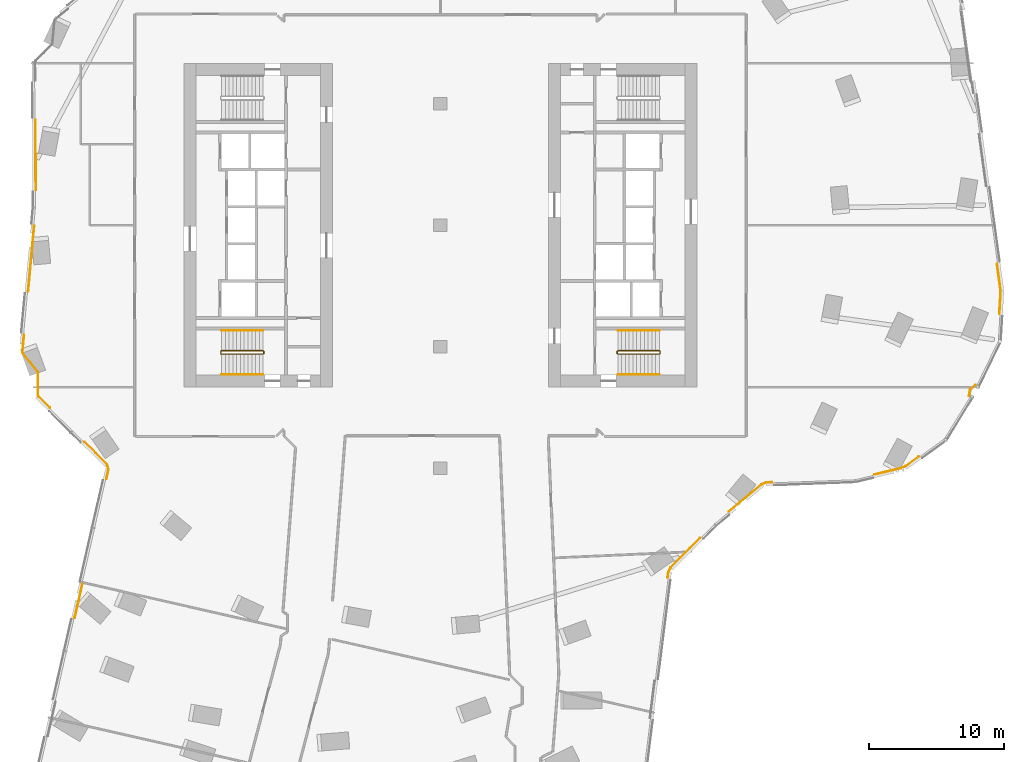
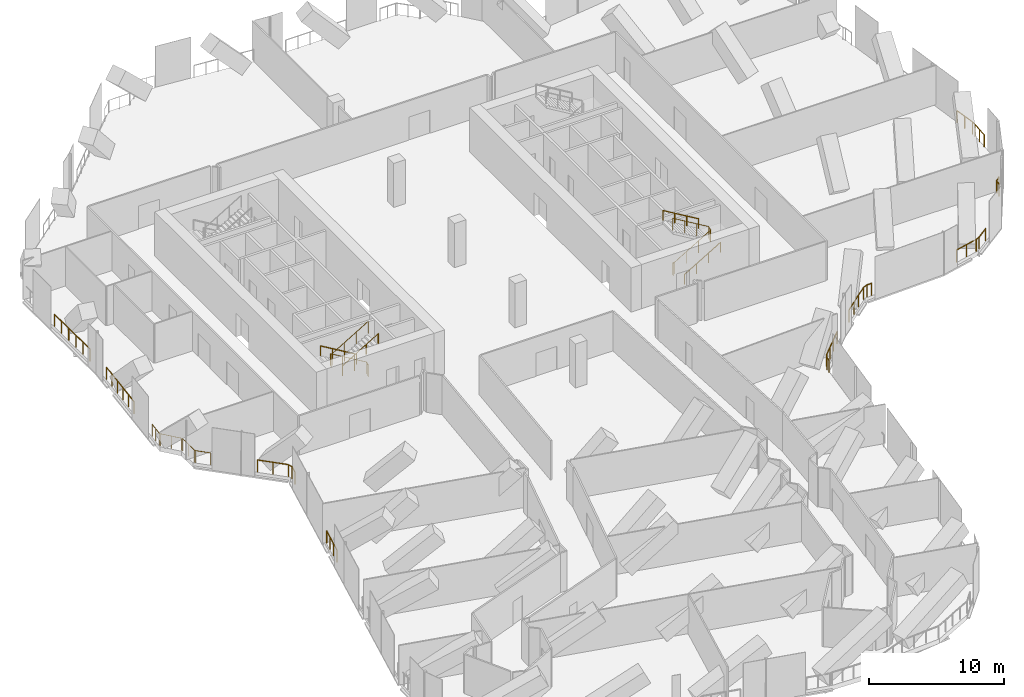
# One storey, part 27 of 29: 16 railings.
"""IFC4 building model written with IfcOpenShell, lengths in metres."""

from ifc_helpers import new_model, si_unit, direction, frame, origin, origin_2d, place, context, subcontext, project, spatial, circle, extrude, material, type_object, element, save


model = new_model("IFC4")

# Units and contexts
model_context = context("Model", 3, precision=1e-05, world=origin(), true_north=direction((0.0, 1.0)))
body_context = subcontext(model_context, "Body", "Model", "MODEL_VIEW")
ifc_project = project(units=[si_unit("LENGTHUNIT", "METRE"), si_unit("AREAUNIT", "SQUARE_METRE"), si_unit("VOLUMEUNIT", "CUBIC_METRE"), si_unit("PLANEANGLEUNIT", "RADIAN"), si_unit("MASSUNIT", "GRAM", prefix="KILO")], contexts=[model_context])

# Site, building, storey
site_placement = place(None, origin())
site = spatial("IfcSite", under=ifc_project, at=site_placement, CompositionType="ELEMENT")
building_placement = place(site_placement, origin())
building = spatial("IfcBuilding", under=site, at=building_placement, Name="Orlundy Tower", CompositionType="ELEMENT")
storey_placement = place(building_placement, frame((0.0, 0.0, 184.60009765625)))
storey = spatial("IfcBuildingStorey", under=building, at=storey_placement, Name="L48", CompositionType="ELEMENT", Elevation=184.60009765625)

# Railings
ifc_material_1 = material(Name="Steel balustrade", Category="steel")
railing_type_1 = type_object("IfcRailingType", Name="Stair Guard 1100", PredefinedType="GUARDRAIL", material=ifc_material_1)
railing_1_placement = place(storey_placement, frame((-13.090087890625, -9.35009765625, 0.0)))
element("IfcRailing", 1, at=railing_1_placement, inside=storey, type_object=railing_type_1, Name="L48 ST-W2 stair guard 1", PredefinedType="GUARDRAIL", context=body_context, shape_type="SweptSolid", body=[
    extrude(circle(Radius=0.02392578125, at=origin_2d()), frame((0.0, 0.0, 1.076171875), z_axis=(0.0, -1.0, 0.0), x_axis=(1.0, 0.0, 0.0)), (0.0, 0.0, 1.0), 0.14990234375),
    extrude(circle(Radius=0.02392578125, at=origin_2d()), frame((0.0, -0.14990234375, 1.076171875), z_axis=(-0.187996396626, 0.754750239394, 0.628497757347), x_axis=(-0.970351222016, -0.241699205484, 0.0)), (0.0, 0.0, 1.0), 0.264892578125),
    extrude(circle(Radius=0.02392578125, at=origin_2d()), frame((-0.0498046875, 0.050048828125, 1.24267578125), z_axis=(-0.85927862911, 0.0, 0.511507807912), x_axis=(0.0, -1.0, 0.0)), (0.0, 0.0, 1.0), 3.58447265625),
    extrude(circle(Radius=0.02392578125, at=origin_2d()), frame((-3.1298828125, 0.050048828125, 3.076171875), z_axis=(-0.707106781187, -0.707106781187, 0.0), x_axis=(0.707106781187, -0.707106781187, 0.0)), (0.0, 0.0, 1.0), 0.07080078125),
    extrude(circle(Radius=0.02392578125, at=origin_2d()), frame((-3.179931640625, 0.0, 3.076171875), z_axis=(0.0, -1.0, 0.0), x_axis=(1.0, 0.0, 0.0)), (0.0, 0.0, 1.0), 0.14990234375),
    extrude(circle(Radius=0.02392578125, at=origin_2d()), frame((-3.179931640625, -0.14990234375, 3.076171875), z_axis=(0.27662974545, -0.27662974545, 0.920299933644), x_axis=(0.707106781187, 0.707106781187, 0.0)), (0.0, 0.0, 1.0), 0.180908203125),
    extrude(circle(Radius=0.02392578125, at=origin_2d()), frame((-3.1298828125, -0.199951171875, 3.24267578125), z_axis=(0.85927862911, 0.0, 0.511507807912), x_axis=(0.0, 1.0, 0.0)), (0.0, 0.0, 1.0), 3.58447265625),
    extrude(circle(Radius=0.02099609375, at=origin_2d()), origin(), (0.0, 0.0, 1.0), 1.052001953125),
    extrude(circle(Radius=0.02099609375, at=origin_2d()), frame((0.0, -0.14990234375, 0.0)), (0.0, 0.0, 1.0), 1.052001953125),
    extrude(circle(Radius=0.02099609375, at=origin_2d()), frame((-0.0498046875, 0.050048828125, 0.16650390625)), (0.0, 0.0, 1.0), 1.052001953125),
    extrude(circle(Radius=0.02099609375, at=origin_2d()), frame((-1.076416015625, 0.050048828125, 0.777587890625)), (0.0, 0.0, 1.0), 1.052001953125),
    extrude(circle(Radius=0.02099609375, at=origin_2d()), frame((-2.103271484375, 0.050048828125, 1.388916015625)), (0.0, 0.0, 1.0), 1.052001953125),
    extrude(circle(Radius=0.02099609375, at=origin_2d()), frame((-3.1298828125, 0.050048828125, 2.0)), (0.0, 0.0, 1.0), 1.052001953125),
    extrude(circle(Radius=0.02099609375, at=origin_2d()), frame((-3.179931640625, 0.0, 2.0)), (0.0, 0.0, 1.0), 1.052001953125),
    extrude(circle(Radius=0.02099609375, at=origin_2d()), frame((-3.179931640625, -0.14990234375, 2.0)), (0.0, 0.0, 1.0), 1.052001953125),
    extrude(circle(Radius=0.02099609375, at=origin_2d()), frame((-3.1298828125, -0.199951171875, 2.16650390625)), (0.0, 0.0, 1.0), 1.052001953125),
    extrude(circle(Radius=0.02099609375, at=origin_2d()), frame((-2.103271484375, -0.199951171875, 2.777587890625)), (0.0, 0.0, 1.0), 1.052001953125),
    extrude(circle(Radius=0.02099609375, at=origin_2d()), frame((-1.076416015625, -0.199951171875, 3.388916015625)), (0.0, 0.0, 1.0), 1.052001953125),
    extrude(circle(Radius=0.02099609375, at=origin_2d()), frame((-0.0498046875, -0.199951171875, 4.0)), (0.0, 0.0, 1.0), 1.052001953125),
])
railing_2_placement = place(storey_placement, frame((13.090087890625, -9.5, 0.0)))
element("IfcRailing", 2, at=railing_2_placement, inside=storey, type_object=railing_type_1, Name="L48 ST-E1 stair guard 1", PredefinedType="GUARDRAIL", context=body_context, shape_type="SweptSolid", body=[
    extrude(circle(Radius=0.02392578125, at=origin_2d()), frame((0.0, 0.0, 1.076171875), z_axis=(0.0, 1.0, 0.0), x_axis=(-1.0, 0.0, 0.0)), (0.0, 0.0, 1.0), 0.14990234375),
    extrude(circle(Radius=0.02392578125, at=origin_2d()), frame((0.0, 0.14990234375, 1.076171875), z_axis=(0.187996396626, -0.754750239394, 0.628497757347), x_axis=(0.970351222016, 0.241699205484, 0.0)), (0.0, 0.0, 1.0), 0.264892578125),
    extrude(circle(Radius=0.02392578125, at=origin_2d()), frame((0.0498046875, -0.050048828125, 1.24267578125), z_axis=(0.85927862911, 0.0, 0.511507807912), x_axis=(0.0, 1.0, 0.0)), (0.0, 0.0, 1.0), 3.58447265625),
    extrude(circle(Radius=0.02392578125, at=origin_2d()), frame((3.1298828125, -0.050048828125, 3.076171875), z_axis=(0.707106781187, 0.707106781187, 0.0), x_axis=(-0.707106781187, 0.707106781187, 0.0)), (0.0, 0.0, 1.0), 0.07080078125),
    extrude(circle(Radius=0.02392578125, at=origin_2d()), frame((3.179931640625, 0.0, 3.076171875), z_axis=(0.0, 1.0, 0.0), x_axis=(-1.0, 0.0, 0.0)), (0.0, 0.0, 1.0), 0.14990234375),
    extrude(circle(Radius=0.02392578125, at=origin_2d()), frame((3.179931640625, 0.14990234375, 3.076171875), z_axis=(-0.27662974545, 0.27662974545, 0.920299933644), x_axis=(-0.707106781187, -0.707106781187, 0.0)), (0.0, 0.0, 1.0), 0.180908203125),
    extrude(circle(Radius=0.02392578125, at=origin_2d()), frame((3.1298828125, 0.199951171875, 3.24267578125), z_axis=(-0.85927862911, 0.0, 0.511507807912), x_axis=(0.0, -1.0, 0.0)), (0.0, 0.0, 1.0), 3.58447265625),
    extrude(circle(Radius=0.02099609375, at=origin_2d()), origin(), (0.0, 0.0, 1.0), 1.052001953125),
    extrude(circle(Radius=0.02099609375, at=origin_2d()), frame((0.0, 0.14990234375, 0.0)), (0.0, 0.0, 1.0), 1.052001953125),
    extrude(circle(Radius=0.02099609375, at=origin_2d()), frame((0.0498046875, -0.050048828125, 0.16650390625)), (0.0, 0.0, 1.0), 1.052001953125),
    extrude(circle(Radius=0.02099609375, at=origin_2d()), frame((1.076416015625, -0.050048828125, 0.777587890625)), (0.0, 0.0, 1.0), 1.052001953125),
    extrude(circle(Radius=0.02099609375, at=origin_2d()), frame((2.103271484375, -0.050048828125, 1.388916015625)), (0.0, 0.0, 1.0), 1.052001953125),
    extrude(circle(Radius=0.02099609375, at=origin_2d()), frame((3.1298828125, -0.050048828125, 2.0)), (0.0, 0.0, 1.0), 1.052001953125),
    extrude(circle(Radius=0.02099609375, at=origin_2d()), frame((3.179931640625, 0.0, 2.0)), (0.0, 0.0, 1.0), 1.052001953125),
    extrude(circle(Radius=0.02099609375, at=origin_2d()), frame((3.179931640625, 0.14990234375, 2.0)), (0.0, 0.0, 1.0), 1.052001953125),
    extrude(circle(Radius=0.02099609375, at=origin_2d()), frame((3.1298828125, 0.199951171875, 2.16650390625)), (0.0, 0.0, 1.0), 1.052001953125),
    extrude(circle(Radius=0.02099609375, at=origin_2d()), frame((2.103271484375, 0.199951171875, 2.777587890625)), (0.0, 0.0, 1.0), 1.052001953125),
    extrude(circle(Radius=0.02099609375, at=origin_2d()), frame((1.076416015625, 0.199951171875, 3.388916015625)), (0.0, 0.0, 1.0), 1.052001953125),
    extrude(circle(Radius=0.02099609375, at=origin_2d()), frame((0.0498046875, 0.199951171875, 4.0)), (0.0, 0.0, 1.0), 1.052001953125),
])
ifc_material_2 = material(Name="Steel handrail", Category="steel")
railing_type_2 = type_object("IfcRailingType", Name="Stair Handrail 900", PredefinedType="HANDRAIL", material=ifc_material_2)
railing_3_placement = place(storey_placement, frame((-13.139892578125, -7.800048828125, 0.16650390625)))
element("IfcRailing", 3, at=railing_3_placement, inside=storey, type_object=railing_type_2, Name="L48 ST-W2 stair handrail 1", PredefinedType="HANDRAIL", context=body_context, shape_type="SweptSolid", body=[
    extrude(circle(Radius=0.02392578125, at=origin_2d()), frame((0.0, 0.0, 0.8759765625), z_axis=(-0.85927862911, 0.0, 0.511507807912), x_axis=(0.0, -1.0, 0.0)), (0.0, 0.0, 1.0), 3.58447265625),
    extrude(circle(Radius=0.02099609375, at=origin_2d()), origin(), (0.0, 0.0, 1.0), 0.851806640625),
    extrude(circle(Radius=0.02099609375, at=origin_2d()), frame((-1.026611328125, 0.0, 0.611083984375)), (0.0, 0.0, 1.0), 0.851806640625),
    extrude(circle(Radius=0.02099609375, at=origin_2d()), frame((-2.053466796875, 0.0, 1.222412109375)), (0.0, 0.0, 1.0), 0.851806640625),
    extrude(circle(Radius=0.02099609375, at=origin_2d()), frame((-3.080078125, 0.0, 1.83349609375)), (0.0, 0.0, 1.0), 0.851806640625),
])
for number, where, name in (
    (4, (-16.219970703125, -11.050048828125, 2.16650390625), "L48 ST-W2 stair handrail 2"),
    (5, (13.139892578125, -11.050048828125, 0.16650390625), "L48 ST-E1 stair handrail 1"),
):
    element("IfcRailing", number, at=place(storey_placement, frame(where)), inside=storey, type_object=railing_type_2, Name=name, PredefinedType="HANDRAIL", context=body_context, shape_type="SweptSolid", body=[
        extrude(circle(Radius=0.02392578125, at=origin_2d()), frame((0.0, 0.0, 0.8759765625), z_axis=(0.85927862911, 0.0, 0.511507807912), x_axis=(0.0, 1.0, 0.0)), (0.0, 0.0, 1.0), 3.58447265625),
        extrude(circle(Radius=0.02099609375, at=origin_2d()), origin(), (0.0, 0.0, 1.0), 0.851806640625),
        extrude(circle(Radius=0.02099609375, at=origin_2d()), frame((1.026611328125, 0.0, 0.611083984375)), (0.0, 0.0, 1.0), 0.851806640625),
        extrude(circle(Radius=0.02099609375, at=origin_2d()), frame((2.053466796875, 0.0, 1.222412109375)), (0.0, 0.0, 1.0), 0.851806640625),
        extrude(circle(Radius=0.02099609375, at=origin_2d()), frame((3.080078125, 0.0, 1.83349609375)), (0.0, 0.0, 1.0), 0.851806640625),
    ])
railing_4_placement = place(storey_placement, frame((16.219970703125, -7.800048828125, 2.16650390625)))
element("IfcRailing", 6, at=railing_4_placement, inside=storey, type_object=railing_type_2, Name="L48 ST-E1 stair handrail 2", PredefinedType="HANDRAIL", context=body_context, shape_type="SweptSolid", body=[
    extrude(circle(Radius=0.02392578125, at=origin_2d()), frame((0.0, 0.0, 0.8759765625), z_axis=(-0.85927862911, 0.0, 0.511507807912), x_axis=(0.0, -1.0, 0.0)), (0.0, 0.0, 1.0), 3.58447265625),
    extrude(circle(Radius=0.02099609375, at=origin_2d()), origin(), (0.0, 0.0, 1.0), 0.851806640625),
    extrude(circle(Radius=0.02099609375, at=origin_2d()), frame((-1.026611328125, 0.0, 0.611083984375)), (0.0, 0.0, 1.0), 0.851806640625),
    extrude(circle(Radius=0.02099609375, at=origin_2d()), frame((-2.053466796875, 0.0, 1.222412109375)), (0.0, 0.0, 1.0), 0.851806640625),
    extrude(circle(Radius=0.02099609375, at=origin_2d()), frame((-3.080078125, 0.0, 1.83349609375)), (0.0, 0.0, 1.0), 0.851806640625),
])
ifc_material_3 = material(Name="Stainless steel bronze finish", Category="steel")
railing_type_3 = type_object("IfcRailingType", Name="TG1 terrace guard", PredefinedType="GUARDRAIL", material=ifc_material_3)
railing_5_placement = place(storey_placement, frame((-28.93994140625, -13.520263671875, 0.0)))
element("IfcRailing", 7, at=railing_5_placement, inside=storey, type_object=railing_type_3, Name="Guard TG-L48-E05", PredefinedType="GUARDRAIL", context=body_context, shape_type="SweptSolid", body=[
    extrude(circle(Radius=0.02490234375, at=origin_2d()), frame((0.0, 0.0, 1.09521484375), z_axis=(-0.711240872187, 0.702948377714, 0.0), x_axis=(-0.702948377714, -0.711240872187, 0.0)), (0.0, 0.0, 1.0), 1.148193359375),
    extrude(circle(Radius=0.02490234375, at=origin_2d()), frame((-0.816650390625, 0.80712890625, 1.09521484375), z_axis=(-0.407238706506, 0.913321759252, 0.0), x_axis=(-0.913321759252, -0.407238706506, 0.0)), (0.0, 0.0, 1.0), 0.12353515625),
    extrude(circle(Radius=0.02490234375, at=origin_2d()), frame((-0.866943359375, 0.919921875, 1.09521484375), z_axis=(-0.005870460126, 0.9999827687, 0.0), x_axis=(-0.9999827687, -0.005870460126, 0.0)), (0.0, 0.0, 1.0), 1.705078125),
    extrude(circle(Radius=0.02490234375, at=origin_2d()), frame((-0.876953125, 2.625, 1.09521484375), z_axis=(-0.341500399128, 0.939881629459, 0.0), x_axis=(-0.939881629459, -0.341500399128, 0.0)), (0.0, 0.0, 1.0), 0.080810546875),
    extrude(circle(Radius=0.02490234375, at=origin_2d()), frame((-0.904541015625, 2.700927734375, 1.09521484375), z_axis=(-0.638379337612, 0.769721911673, 0.0), x_axis=(-0.769721911673, -0.638379337612, 0.0)), (0.0, 0.0, 1.0), 1.70458984375),
    extrude(circle(Radius=0.02490234375, at=origin_2d()), frame((-1.99267578125, 4.012939453125, 1.09521484375), z_axis=(-0.274982401426, 0.961449259663, 0.0), x_axis=(-0.961449259663, -0.274982401426, 0.0)), (0.0, 0.0, 1.0), 0.123291015625),
    extrude(circle(Radius=0.02490234375, at=origin_2d()), frame((-2.026611328125, 4.131591796875, 1.09521484375), z_axis=(0.093000715187, 0.995666041891, 0.0), x_axis=(-0.995666041891, 0.093000715187, 0.0)), (0.0, 0.0, 1.0), 1.26806640625),
    extrude(circle(Radius=0.02001953125, at=origin_2d()), origin(), (0.0, 0.0, 1.0), 1.070068359375),
    extrude(circle(Radius=0.02001953125, at=origin_2d()), frame((-0.816650390625, 0.80712890625, 0.0)), (0.0, 0.0, 1.0), 1.070068359375),
    extrude(circle(Radius=0.02001953125, at=origin_2d()), frame((-0.866943359375, 0.919921875, 0.0)), (0.0, 0.0, 1.0), 1.070068359375),
    extrude(circle(Radius=0.02001953125, at=origin_2d()), frame((-0.8720703125, 1.7724609375, 0.0)), (0.0, 0.0, 1.0), 1.070068359375),
    extrude(circle(Radius=0.02001953125, at=origin_2d()), frame((-0.876953125, 2.625, 0.0)), (0.0, 0.0, 1.0), 1.070068359375),
    extrude(circle(Radius=0.02001953125, at=origin_2d()), frame((-0.904541015625, 2.700927734375, 0.0)), (0.0, 0.0, 1.0), 1.070068359375),
    extrude(circle(Radius=0.02001953125, at=origin_2d()), frame((-1.44873046875, 3.35693359375, 0.0)), (0.0, 0.0, 1.0), 1.070068359375),
    extrude(circle(Radius=0.02001953125, at=origin_2d()), frame((-1.99267578125, 4.012939453125, 0.0)), (0.0, 0.0, 1.0), 1.070068359375),
    extrude(circle(Radius=0.02001953125, at=origin_2d()), frame((-2.026611328125, 4.131591796875, 0.0)), (0.0, 0.0, 1.0), 1.070068359375),
    extrude(circle(Radius=0.02001953125, at=origin_2d()), frame((-1.9677734375, 4.7626953125, 0.0)), (0.0, 0.0, 1.0), 1.070068359375),
    extrude(circle(Radius=0.02001953125, at=origin_2d()), frame((-1.90869140625, 5.39404296875, 0.0)), (0.0, 0.0, 1.0), 1.070068359375),
])
railing_6_placement = place(storey_placement, frame((-29.9755859375, 2.615966796875, 0.0)))
element("IfcRailing", 8, at=railing_6_placement, inside=storey, type_object=railing_type_3, Name="Guard TG-L48-E08", PredefinedType="GUARDRAIL", context=body_context, shape_type="SweptSolid", body=[
    extrude(circle(Radius=0.02490234375, at=origin_2d()), frame((0.0, 0.0, 1.09521484375), z_axis=(-0.005885851805, 0.999982678224, 0.0), x_axis=(-0.999982678224, -0.005885851805, 0.0)), (0.0, 0.0, 1.0), 5.184814453125),
    extrude(circle(Radius=0.02001953125, at=origin_2d()), origin(), (0.0, 0.0, 1.0), 1.070068359375),
    extrude(circle(Radius=0.02001953125, at=origin_2d()), frame((-0.006103515625, 1.036865234375, 0.0)), (0.0, 0.0, 1.0), 1.070068359375),
    extrude(circle(Radius=0.02001953125, at=origin_2d()), frame((-0.01220703125, 2.073974609375, 0.0)), (0.0, 0.0, 1.0), 1.070068359375),
    extrude(circle(Radius=0.02001953125, at=origin_2d()), frame((-0.018310546875, 3.11083984375, 0.0)), (0.0, 0.0, 1.0), 1.070068359375),
    extrude(circle(Radius=0.02001953125, at=origin_2d()), frame((-0.0244140625, 4.14794921875, 0.0)), (0.0, 0.0, 1.0), 1.070068359375),
    extrude(circle(Radius=0.02001953125, at=origin_2d()), frame((-0.030517578125, 5.184814453125, 0.0)), (0.0, 0.0, 1.0), 1.070068359375),
])
railing_7_placement = place(storey_placement, frame((-30.548583984375, -4.910888671875, 0.0)))
element("IfcRailing", 9, at=railing_7_placement, inside=storey, type_object=railing_type_3, Name="Guard TG-L48-E011", PredefinedType="GUARDRAIL", context=body_context, shape_type="SweptSolid", body=[
    extrude(circle(Radius=0.02490234375, at=origin_2d()), frame((0.0, 0.0, 1.09521484375), z_axis=(0.092977764268, 0.995668185367, 0.0), x_axis=(-0.995668185367, 0.092977764268, 0.0)), (0.0, 0.0, 1.0), 4.876220703125),
    extrude(circle(Radius=0.02001953125, at=origin_2d()), origin(), (0.0, 0.0, 1.0), 1.070068359375),
    extrude(circle(Radius=0.02001953125, at=origin_2d()), frame((0.090576171875, 0.970947265625, 0.0)), (0.0, 0.0, 1.0), 1.070068359375),
    extrude(circle(Radius=0.02001953125, at=origin_2d()), frame((0.181396484375, 1.94189453125, 0.0)), (0.0, 0.0, 1.0), 1.070068359375),
    extrude(circle(Radius=0.02001953125, at=origin_2d()), frame((0.27197265625, 2.9130859375, 0.0)), (0.0, 0.0, 1.0), 1.070068359375),
    extrude(circle(Radius=0.02001953125, at=origin_2d()), frame((0.36279296875, 3.884033203125, 0.0)), (0.0, 0.0, 1.0), 1.070068359375),
    extrude(circle(Radius=0.02001953125, at=origin_2d()), frame((0.453369140625, 4.85498046875, 0.0)), (0.0, 0.0, 1.0), 1.070068359375),
])
railing_8_placement = place(storey_placement, frame((24.555908203125, -19.04541015625, 0.0)))
element("IfcRailing", 10, at=railing_8_placement, inside=storey, type_object=railing_type_3, Name="Guard TG-L48-E016", PredefinedType="GUARDRAIL", context=body_context, shape_type="SweptSolid", body=[
    extrude(circle(Radius=0.02490234375, at=origin_2d()), frame((0.0, 0.0, 1.09521484375), z_axis=(-0.999293923244, -0.037571997114, 0.0), x_axis=(0.037571997114, -0.999293923244, 0.0)), (0.0, 0.0, 1.0), 0.40283203125),
    extrude(circle(Radius=0.02490234375, at=origin_2d()), frame((-0.402587890625, -0.01513671875, 1.09521484375), z_axis=(-0.934229355432, -0.35667283531, 0.0), x_axis=(0.35667283531, -0.934229355432, 0.0)), (0.0, 0.0, 1.0), 0.404541015625),
    extrude(circle(Radius=0.02490234375, at=origin_2d()), frame((-0.780517578125, -0.159423828125, 1.09521484375), z_axis=(-0.769714787056, -0.638387927977, 0.0), x_axis=(0.638387927977, -0.769714787056, 0.0)), (0.0, 0.0, 1.0), 3.11767578125),
    extrude(circle(Radius=0.02001953125, at=origin_2d()), origin(), (0.0, 0.0, 1.0), 1.070068359375),
    extrude(circle(Radius=0.02001953125, at=origin_2d()), frame((-0.402587890625, -0.01513671875, 0.0)), (0.0, 0.0, 1.0), 1.070068359375),
    extrude(circle(Radius=0.02001953125, at=origin_2d()), frame((-0.780517578125, -0.159423828125, 0.0)), (0.0, 0.0, 1.0), 1.070068359375),
    extrude(circle(Radius=0.02001953125, at=origin_2d()), frame((-1.580322265625, -0.82275390625, 0.0)), (0.0, 0.0, 1.0), 1.070068359375),
    extrude(circle(Radius=0.02001953125, at=origin_2d()), frame((-2.38037109375, -1.486328125, 0.0)), (0.0, 0.0, 1.0), 1.070068359375),
    extrude(circle(Radius=0.02001953125, at=origin_2d()), frame((-3.18017578125, -2.149658203125, 0.0)), (0.0, 0.0, 1.0), 1.070068359375),
])
railing_9_placement = place(storey_placement, frame((19.214599609375, -23.17919921875, 0.0)))
element("IfcRailing", 11, at=railing_9_placement, inside=storey, type_object=railing_type_3, Name="Guard TG-L48-E017", PredefinedType="GUARDRAIL", context=body_context, shape_type="SweptSolid", body=[
    extrude(circle(Radius=0.02490234375, at=origin_2d()), frame((0.0, 0.0, 1.09521484375), z_axis=(-0.703034100304, -0.71115613884, 0.0), x_axis=(0.71115613884, -0.703034100304, 0.0)), (0.0, 0.0, 1.0), 3.06591796875),
    extrude(circle(Radius=0.02490234375, at=origin_2d()), frame((-2.155517578125, -2.180419921875, 1.09521484375), z_axis=(-0.437043506976, -0.899440366567, 0.0), x_axis=(0.899440366567, -0.437043506976, 0.0)), (0.0, 0.0, 1.0), 0.404541015625),
    extrude(circle(Radius=0.02490234375, at=origin_2d()), frame((-2.332275390625, -2.544189453125, 1.09521484375), z_axis=(-0.124576775088, -0.992209971281, 0.0), x_axis=(0.992209971281, -0.124576775088, 0.0)), (0.0, 0.0, 1.0), 0.387939453125),
    extrude(circle(Radius=0.02001953125, at=origin_2d()), origin(), (0.0, 0.0, 1.0), 1.070068359375),
    extrude(circle(Radius=0.02001953125, at=origin_2d()), frame((-0.718505859375, -0.726806640625, 0.0)), (0.0, 0.0, 1.0), 1.070068359375),
    extrude(circle(Radius=0.02001953125, at=origin_2d()), frame((-1.43701171875, -1.45361328125, 0.0)), (0.0, 0.0, 1.0), 1.070068359375),
    extrude(circle(Radius=0.02001953125, at=origin_2d()), frame((-2.155517578125, -2.180419921875, 0.0)), (0.0, 0.0, 1.0), 1.070068359375),
    extrude(circle(Radius=0.02001953125, at=origin_2d()), frame((-2.332275390625, -2.544189453125, 0.0)), (0.0, 0.0, 1.0), 1.070068359375),
    extrude(circle(Radius=0.02001953125, at=origin_2d()), frame((-2.380615234375, -2.92919921875, 0.0)), (0.0, 0.0, 1.0), 1.070068359375),
])
railing_10_placement = place(storey_placement, frame((41.23486328125, -2.86328125, 0.0)))
element("IfcRailing", 12, at=railing_10_placement, inside=storey, type_object=railing_type_3, Name="Guard TG-L48-E020", PredefinedType="GUARDRAIL", context=body_context, shape_type="SweptSolid", body=[
    extrude(circle(Radius=0.02490234375, at=origin_2d()), frame((0.0, 0.0, 1.09521484375), z_axis=(0.136301216296, -0.990667440888, 0.0), x_axis=(0.990667440888, 0.136301216296, 0.0)), (0.0, 0.0, 1.0), 1.843017578125),
    extrude(circle(Radius=0.02490234375, at=origin_2d()), frame((0.251220703125, -1.825927734375, 1.09521484375), z_axis=(0.038769328906, -0.999248186957, 0.0), x_axis=(0.999248186957, 0.038769328906, 0.0)), (0.0, 0.0, 1.0), 0.390380859375),
    extrude(circle(Radius=0.02490234375, at=origin_2d()), frame((0.266357421875, -2.216064453125, 1.09521484375), z_axis=(-0.059708486164, -0.998215856756, 0.0), x_axis=(0.998215856756, -0.059708486164, 0.0)), (0.0, 0.0, 1.0), 1.5087890625),
    extrude(circle(Radius=0.02001953125, at=origin_2d()), origin(), (0.0, 0.0, 1.0), 1.070068359375),
    extrude(circle(Radius=0.02001953125, at=origin_2d()), frame((0.12548828125, -0.9130859375, 0.0)), (0.0, 0.0, 1.0), 1.070068359375),
    extrude(circle(Radius=0.02001953125, at=origin_2d()), frame((0.251220703125, -1.825927734375, 0.0)), (0.0, 0.0, 1.0), 1.070068359375),
    extrude(circle(Radius=0.02001953125, at=origin_2d()), frame((0.266357421875, -2.216064453125, 0.0)), (0.0, 0.0, 1.0), 1.070068359375),
    extrude(circle(Radius=0.02001953125, at=origin_2d()), frame((0.22119140625, -2.96923828125, 0.0)), (0.0, 0.0, 1.0), 1.070068359375),
    extrude(circle(Radius=0.02001953125, at=origin_2d()), frame((0.17626953125, -3.72216796875, 0.0)), (0.0, 0.0, 1.0), 1.070068359375),
])
railing_11_placement = place(storey_placement, frame((35.4345703125, -17.14892578125, 0.0)))
element("IfcRailing", 13, at=railing_11_placement, inside=storey, type_object=railing_type_3, Name="Guard TG-L48-E022", PredefinedType="GUARDRAIL", context=body_context, shape_type="SweptSolid", body=[
    extrude(circle(Radius=0.02490234375, at=origin_2d()), frame((0.0, 0.0, 1.09521484375), z_axis=(-0.809915017637, -0.586547239535, 0.0), x_axis=(0.586547239535, -0.809915017637, 0.0)), (0.0, 0.0, 1.0), 1.180419921875),
    extrude(circle(Radius=0.02490234375, at=origin_2d()), frame((-0.9560546875, -0.6923828125, 1.09521484375), z_axis=(-0.908716714401, -0.417413383791, 0.0), x_axis=(0.417413383791, -0.908716714401, 0.0)), (0.0, 0.0, 1.0), 0.376708984375),
    extrude(circle(Radius=0.02490234375, at=origin_2d()), frame((-1.29833984375, -0.849609375, 1.09521484375), z_axis=(-0.972638829333, -0.232322421805, 0.0), x_axis=(0.232322421805, -0.972638829333, 0.0)), (0.0, 0.0, 1.0), 2.02197265625),
    extrude(circle(Radius=0.02001953125, at=origin_2d()), origin(), (0.0, 0.0, 1.0), 1.070068359375),
    extrude(circle(Radius=0.02001953125, at=origin_2d()), frame((-0.9560546875, -0.6923828125, 0.0)), (0.0, 0.0, 1.0), 1.070068359375),
    extrude(circle(Radius=0.02001953125, at=origin_2d()), frame((-1.29833984375, -0.849609375, 0.0)), (0.0, 0.0, 1.0), 1.070068359375),
    extrude(circle(Radius=0.02001953125, at=origin_2d()), frame((-2.28173828125, -1.08447265625, 0.0)), (0.0, 0.0, 1.0), 1.070068359375),
    extrude(circle(Radius=0.02001953125, at=origin_2d()), frame((-3.264892578125, -1.3193359375, 0.0)), (0.0, 0.0, 1.0), 1.070068359375),
])
railing_12_placement = place(storey_placement, frame((-24.75341796875, -18.794677734375, 0.0)))
element("IfcRailing", 14, at=railing_12_placement, inside=storey, type_object=railing_type_3, Name="Guard TG-L48-E024", PredefinedType="GUARDRAIL", context=body_context, shape_type="SweptSolid", body=[
    extrude(circle(Radius=0.02490234375, at=origin_2d()), frame((0.0, 0.0, 1.09521484375), z_axis=(0.222388263183, 0.974958183923, 0.0), x_axis=(-0.974958183923, 0.222388263183, 0.0)), (0.0, 0.0, 1.0), 0.72900390625),
    extrude(circle(Radius=0.02490234375, at=origin_2d()), frame((0.162109375, 0.710693359375, 1.09521484375), z_axis=(-0.280192988257, 0.959943690709, 0.0), x_axis=(-0.959943690709, -0.280192988257, 0.0)), (0.0, 0.0, 1.0), 0.388671875),
    extrude(circle(Radius=0.02490234375, at=origin_2d()), frame((0.05322265625, 1.083740234375, 1.09521484375), z_axis=(-0.711226744416, 0.702962671859, 0.0), x_axis=(-0.702962671859, -0.711226744416, 0.0)), (0.0, 0.0, 1.0), 2.36328125),
    extrude(circle(Radius=0.02001953125, at=origin_2d()), origin(), (0.0, 0.0, 1.0), 1.070068359375),
    extrude(circle(Radius=0.02001953125, at=origin_2d()), frame((0.162109375, 0.710693359375, 0.0)), (0.0, 0.0, 1.0), 1.070068359375),
    extrude(circle(Radius=0.02001953125, at=origin_2d()), frame((0.05322265625, 1.083740234375, 0.0)), (0.0, 0.0, 1.0), 1.070068359375),
    extrude(circle(Radius=0.02001953125, at=origin_2d()), frame((-0.787109375, 1.91455078125, 0.0)), (0.0, 0.0, 1.0), 1.070068359375),
    extrude(circle(Radius=0.02001953125, at=origin_2d()), frame((-1.627685546875, 2.7451171875, 0.0)), (0.0, 0.0, 1.0), 1.070068359375),
])
railing_13_placement = place(storey_placement, frame((-27.098876953125, -29.092041015625, 0.0)))
element("IfcRailing", 15, at=railing_13_placement, inside=storey, type_object=railing_type_3, Name="Guard TG-L48-E030", PredefinedType="GUARDRAIL", context=body_context, shape_type="SweptSolid", body=[
    extrude(circle(Radius=0.02490234375, at=origin_2d()), frame((0.0, 0.0, 1.09521484375), z_axis=(0.222128115768, 0.975017487118, 0.0), x_axis=(-0.975017487118, 0.222128115768, 0.0)), (0.0, 0.0, 1.0), 2.559814453125),
    extrude(circle(Radius=0.02001953125, at=origin_2d()), origin(), (0.0, 0.0, 1.0), 1.070068359375),
    extrude(circle(Radius=0.02001953125, at=origin_2d()), frame((0.189453125, 0.83203125, 0.0)), (0.0, 0.0, 1.0), 1.070068359375),
    extrude(circle(Radius=0.02001953125, at=origin_2d()), frame((0.379150390625, 1.663818359375, 0.0)), (0.0, 0.0, 1.0), 1.070068359375),
    extrude(circle(Radius=0.02001953125, at=origin_2d()), frame((0.568603515625, 2.495849609375, 0.0)), (0.0, 0.0, 1.0), 1.070068359375),
])
railing_14_placement = place(storey_placement, frame((39.63232421875, -11.826416015625, 0.0)))
element("IfcRailing", 16, at=railing_14_placement, inside=storey, type_object=railing_type_3, Name="Guard TG-L48-E031", PredefinedType="GUARDRAIL", context=body_context, shape_type="SweptSolid", body=[
    extrude(circle(Radius=0.02490234375, at=origin_2d()), frame((0.0, 0.0, 1.09521484375), z_axis=(-0.747688925699, -0.66404914757, 0.0), x_axis=(0.66404914757, -0.747688925699, 0.0)), (0.0, 0.0, 1.0), 0.481689453125),
    extrude(circle(Radius=0.02490234375, at=origin_2d()), frame((-0.360107421875, -0.31982421875, 1.09521484375), z_axis=(-0.480757623354, -0.876853526872, 0.0), x_axis=(0.876853526872, -0.480757623354, 0.0)), (0.0, 0.0, 1.0), 0.080810546875),
    extrude(circle(Radius=0.02490234375, at=origin_2d()), frame((-0.39892578125, -0.390625, 1.09521484375), z_axis=(-0.158479621848, -0.987362248346, 0.0), x_axis=(0.987362248346, -0.158479621848, 0.0)), (0.0, 0.0, 1.0), 0.42822265625),
    extrude(circle(Radius=0.02001953125, at=origin_2d()), origin(), (0.0, 0.0, 1.0), 1.070068359375),
    extrude(circle(Radius=0.02001953125, at=origin_2d()), frame((-0.360107421875, -0.31982421875, 0.0)), (0.0, 0.0, 1.0), 1.070068359375),
    extrude(circle(Radius=0.02001953125, at=origin_2d()), frame((-0.39892578125, -0.390625, 0.0)), (0.0, 0.0, 1.0), 1.070068359375),
    extrude(circle(Radius=0.02001953125, at=origin_2d()), frame((-0.466796875, -0.8134765625, 0.0)), (0.0, 0.0, 1.0), 1.070068359375),
])

save(model, "model.ifc")
